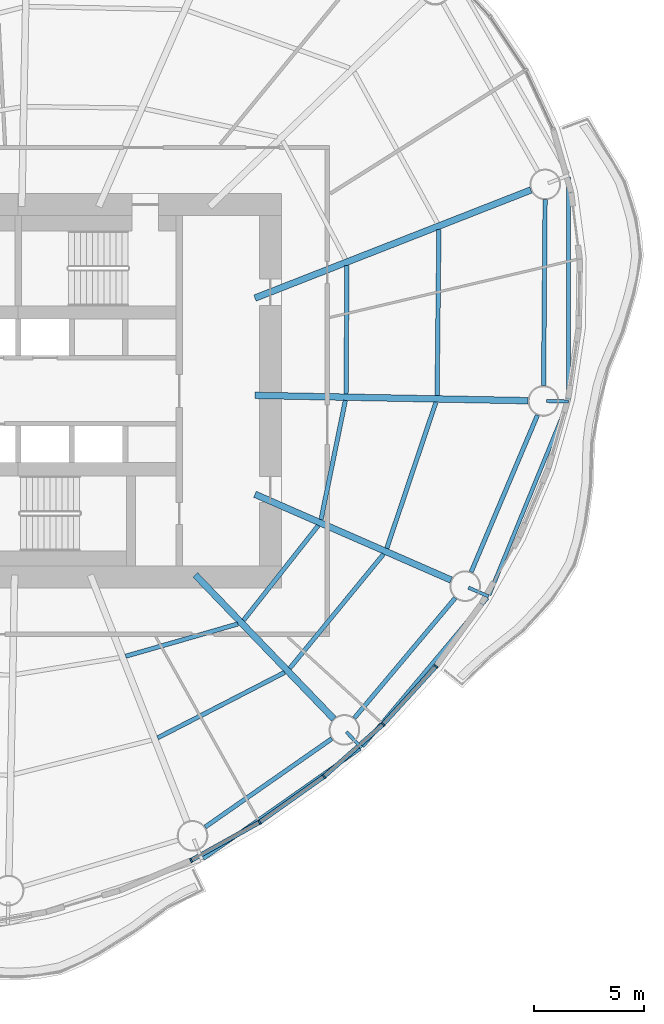
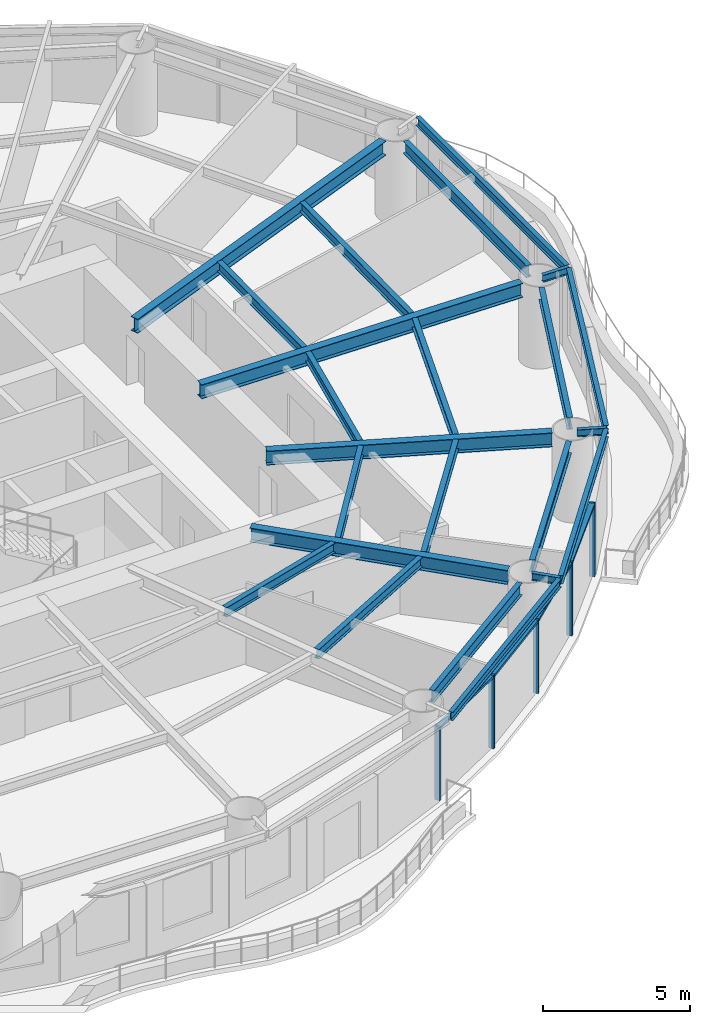
# One storey, part 4 of 14: 23 beams, 9 members, 4 elements without a shape of their own.
"""IFC4 building model written with IfcOpenShell, lengths in metres."""

from ifc_helpers import new_model, si_unit, direction, frame, origin, origin_2d, place, context, subcontext, project, spatial, rectangle, i_section, extrude, material, material_profile, profile_set, type_object, element, aggregate, save


model = new_model("IFC4")

# Units and contexts
model_context = context("Model", 3, precision=1e-05, world=origin(), true_north=direction((0.0, 1.0)))
body_context = subcontext(model_context, "Body", "Model", "MODEL_VIEW")
ifc_project = project(units=[si_unit("LENGTHUNIT", "METRE"), si_unit("AREAUNIT", "SQUARE_METRE"), si_unit("VOLUMEUNIT", "CUBIC_METRE"), si_unit("PLANEANGLEUNIT", "RADIAN"), si_unit("MASSUNIT", "GRAM", prefix="KILO")], contexts=[model_context])

# Site, building, storey
site_placement = place(None, origin())
site = spatial("IfcSite", under=ifc_project, at=site_placement, CompositionType="ELEMENT")
building_placement = place(site_placement, origin())
building = spatial("IfcBuilding", under=site, at=building_placement, Name="Vermilion Reach Broadcast Tower", CompositionType="ELEMENT")
storey_placement = place(building_placement, frame((0.0, 0.0, 186.60009765625)))
storey = spatial("IfcBuildingStorey", under=building, at=storey_placement, Name="L45", CompositionType="ELEMENT", Elevation=186.60009765625)

# Beams
ifc_material_1 = material(Name="Steel S355J2", Category="steel")
ifc_material_profile_1 = material_profile(ifc_material_1, i_section(OverallWidth=0.175048828125, OverallDepth=0.35009765625, WebThickness=0.007080078125, FlangeThickness=0.010986328125, at=origin_2d()), Name="S355J2 HN 350x175x7x11")
ifc_profile_set_1 = profile_set([ifc_material_profile_1], Name="Steel S355J2")
beam_type_1 = type_object("IfcBeamType", Name="EB3 HN 350x175x7x11", PredefinedType="BEAM", material=ifc_profile_set_1)
beam_1_placement = place(storey_placement, frame((2.440185546875, -21.342041015625, 3.224853515625), z_axis=(0.818428114989, 0.574608928398, 0.0), x_axis=(-0.574608928398, 0.818428114989, 0.0)))
element("IfcBeam", 1, at=beam_1_placement, inside=storey, type_object=beam_type_1, Name="Edge beam EB3-12", PredefinedType="BEAM", context=body_context, shape_type="SweptSolid", body=[
    extrude(i_section(OverallWidth=0.175048828125, OverallDepth=0.35009765625, WebThickness=0.007080078125, FlangeThickness=0.010986328125, at=origin_2d()), origin(), (0.0, 0.0, 1.0), 8.741455078125),
])
beam_2_placement = place(storey_placement, frame((9.705322265625, -16.217529296875, 3.224853515625), z_axis=(0.643532045496, 0.765419170402, 0.0), x_axis=(-0.765419170402, 0.643532045496, 0.0)))
element("IfcBeam", 2, at=beam_2_placement, inside=storey, type_object=beam_type_1, Name="Edge beam EB3-13", PredefinedType="BEAM", context=body_context, shape_type="SweptSolid", body=[
    extrude(i_section(OverallWidth=0.175048828125, OverallDepth=0.35009765625, WebThickness=0.007080078125, FlangeThickness=0.010986328125, at=origin_2d()), origin(), (0.0, 0.0, 1.0), 8.857177734375),
])
beam_3_placement = place(storey_placement, frame((15.48388671875, -9.308837890625, 3.224853515625), z_axis=(0.379107422962, 0.925352668908, 0.0), x_axis=(-0.925352668908, 0.379107422962, 0.0)))
element("IfcBeam", 3, at=beam_3_placement, inside=storey, type_object=beam_type_1, Name="Edge beam EB3-14", PredefinedType="BEAM", context=body_context, shape_type="SweptSolid", body=[
    extrude(i_section(OverallWidth=0.175048828125, OverallDepth=0.35009765625, WebThickness=0.007080078125, FlangeThickness=0.010986328125, at=origin_2d()), origin(), (0.0, 0.0, 1.0), 9.453857421875),
])
beam_4_placement = place(storey_placement, frame((19.098388671875, -0.411376953125, 3.224853515625), z_axis=(0.000840618398, 0.99999964668, 0.0), x_axis=(-0.99999964668, 0.000840618398, 0.0)))
element("IfcBeam", 4, at=beam_4_placement, inside=storey, type_object=beam_type_1, Name="Edge beam EB3-15", PredefinedType="BEAM", context=body_context, shape_type="SweptSolid", body=[
    extrude(i_section(OverallWidth=0.175048828125, OverallDepth=0.35009765625, WebThickness=0.007080078125, FlangeThickness=0.010986328125, at=origin_2d()), origin(), (0.0, 0.0, 1.0), 10.1650390625),
])
ifc_material_2 = material(Name="Steel S355J2", Category="steel")
ifc_material_profile_2 = material_profile(ifc_material_2, i_section(OverallWidth=0.300048828125, OverallDepth=0.587890625, WebThickness=0.011962890625, FlangeThickness=0.02001953125, at=origin_2d()), Name="S355J2 HM 588x300x12x20")
ifc_profile_set_2 = profile_set([ifc_material_profile_2], Name="Steel S355J2")
beam_type_2 = type_object("IfcBeamType", Name="G3 HM 588x300x12x20", PredefinedType="BEAM", material=ifc_profile_set_2)
beam_5_placement = place(storey_placement, frame((2.08056640625, -8.39990234375, 3.10595703125), z_axis=(0.693288178928, -0.720660461631, 0.0), x_axis=(0.720660461631, 0.693288178928, 0.0)))
element("IfcBeam", 5, at=beam_5_placement, inside=storey, type_object=beam_type_2, Name="Girder G3-13", PredefinedType="BEAM", context=body_context, shape_type="SweptSolid", body=[
    extrude(i_section(OverallWidth=0.300048828125, OverallDepth=0.587890625, WebThickness=0.011962890625, FlangeThickness=0.02001953125, at=origin_2d()), origin(), (0.0, 0.0, 1.0), 9.106689453125),
])
beam_6_placement = place(storey_placement, frame((4.800048828125, -4.720703125, 3.10595703125), z_axis=(0.916291566529, -0.400511878859, 0.0), x_axis=(0.400511878859, 0.916291566529, 0.0)))
element("IfcBeam", 6, at=beam_6_placement, inside=storey, type_object=beam_type_2, Name="Girder G3-14", PredefinedType="BEAM", context=body_context, shape_type="SweptSolid", body=[
    extrude(i_section(OverallWidth=0.300048828125, OverallDepth=0.587890625, WebThickness=0.011962890625, FlangeThickness=0.02001953125, at=origin_2d()), origin(), (0.0, 0.0, 1.0), 9.76416015625),
])
beam_7_placement = place(storey_placement, frame((4.800048828125, -0.209228515625, 3.10595703125), z_axis=(0.999812275453, -0.019375599413, 0.0), x_axis=(0.019375599413, 0.999812275453, 0.0)))
element("IfcBeam", 7, at=beam_7_placement, inside=storey, type_object=beam_type_2, Name="Girder G3-15", PredefinedType="BEAM", context=body_context, shape_type="SweptSolid", body=[
    extrude(i_section(OverallWidth=0.300048828125, OverallDepth=0.587890625, WebThickness=0.011962890625, FlangeThickness=0.02001953125, at=origin_2d()), origin(), (0.0, 0.0, 1.0), 12.4619140625),
])
beam_8_placement = place(storey_placement, frame((4.800048828125, 4.230224609375, 3.10595703125), z_axis=(0.931119103562, 0.364715251918, 0.0), x_axis=(-0.364715251918, 0.931119103562, 0.0)))
element("IfcBeam", 8, at=beam_8_placement, inside=storey, type_object=beam_type_2, Name="Girder G3-16", PredefinedType="BEAM", context=body_context, shape_type="SweptSolid", body=[
    extrude(i_section(OverallWidth=0.300048828125, OverallDepth=0.587890625, WebThickness=0.011962890625, FlangeThickness=0.02001953125, at=origin_2d()), origin(), (0.0, 0.0, 1.0), 13.519775390625),
])
ifc_material_3 = material(Name="Steel S355J2", Category="steel")
ifc_material_profile_3 = material_profile(ifc_material_3, i_section(OverallWidth=0.14990234375, OverallDepth=0.300048828125, WebThickness=0.006591796875, FlangeThickness=0.009033203125, at=origin_2d()), Name="S355J2 HN 300x150x6.5x9")
ifc_profile_set_3 = profile_set([ifc_material_profile_3], Name="Steel S355J2")
beam_type_3 = type_object("IfcBeamType", Name="GS3 HN 300x150x6.5x9", PredefinedType="BEAM", material=ifc_profile_set_3)
for number, where, z_axis, x_axis, name in (
    (9, (8.96337890625, -15.5546875, 3.25), (0.693303837595, -0.720645397388, 0.0), (0.720645397388, 0.693303837595, 0.0), "Cantilever stub GS3-13"),
    (10, (14.539306640625, -8.9775390625, 3.25), (0.916241361485, -0.400626718411, 0.0), (0.400626718411, 0.916241361485, 0.0), "Cantilever stub GS3-14"),
    (11, (18.098388671875, -0.467041015625, 3.25), (0.999813964781, -0.019288230334, 0.0), (0.019288230334, 0.999813964781, 0.0), "Cantilever stub GS3-15"),
):
    element("IfcBeam", number, at=place(storey_placement, frame(where, z_axis=z_axis, x_axis=x_axis)), inside=storey, type_object=beam_type_3, Name=name, PredefinedType="BEAM", context=body_context, shape_type="SweptSolid", body=[
        extrude(i_section(OverallWidth=0.14990234375, OverallDepth=0.300048828125, WebThickness=0.006591796875, FlangeThickness=0.009033203125, at=origin_2d()), origin(), (0.0, 0.0, 1.0), 1.0),
    ])
ifc_material_4 = material(Name="Steel S355J2", Category="steel")
ifc_material_profile_4 = material_profile(ifc_material_4, i_section(OverallWidth=0.199951171875, OverallDepth=0.5, WebThickness=0.010009765625, FlangeThickness=0.01611328125, at=origin_2d()), Name="S355J2 HN 500x200x10x16")
ifc_profile_set_4 = profile_set([ifc_material_profile_4], Name="Steel S355J2")
beam_type_4 = type_object("IfcBeamType", Name="RB3 HN 500x200x10x16", PredefinedType="BEAM", material=ifc_profile_set_4)
beam_9_placement = place(storey_placement, frame((2.525634765625, -19.900146484375, 3.14990234375), z_axis=(0.820111453349, 0.572203813415, 0.0), x_axis=(-0.572203813415, 0.820111453349, 0.0)))
element("IfcBeam", 12, at=beam_9_placement, inside=storey, type_object=beam_type_4, Name="Ring beam RB3-12", PredefinedType="BEAM", context=body_context, shape_type="SweptSolid", body=[
    extrude(i_section(OverallWidth=0.199951171875, OverallDepth=0.5, WebThickness=0.010009765625, FlangeThickness=0.01611328125, at=origin_2d()), origin(), (0.0, 0.0, 1.0), 7.04736328125),
])
beam_10_placement = place(storey_placement, frame((9.32958984375, -14.931396484375, 3.14990234375), z_axis=(0.643350337931, 0.765571905626, 0.0), x_axis=(-0.765571905626, 0.643350337931, 0.0)))
element("IfcBeam", 13, at=beam_10_placement, inside=storey, type_object=beam_type_4, Name="Ring beam RB3-13", PredefinedType="BEAM", context=body_context, shape_type="SweptSolid", body=[
    extrude(i_section(OverallWidth=0.199951171875, OverallDepth=0.5, WebThickness=0.010009765625, FlangeThickness=0.01611328125, at=origin_2d()), origin(), (0.0, 0.0, 1.0), 7.1630859375),
])
beam_11_placement = place(storey_placement, frame((14.660888671875, -8.266845703125, 3.14990234375), z_axis=(0.389368386196, 0.921082113512, 0.0), x_axis=(-0.921082113512, 0.389368386196, 0.0)))
element("IfcBeam", 14, at=beam_11_placement, inside=storey, type_object=beam_type_4, Name="Ring beam RB3-14", PredefinedType="BEAM", context=body_context, shape_type="SweptSolid", body=[
    extrude(i_section(OverallWidth=0.199951171875, OverallDepth=0.5, WebThickness=0.010009765625, FlangeThickness=0.01611328125, at=origin_2d()), origin(), (0.0, 0.0, 1.0), 7.771240234375),
])
beam_12_placement = place(storey_placement, frame((17.965087890625, 0.23583984375, 3.14990234375), z_axis=(0.008204232036, 0.999966344722, 0.0), x_axis=(-0.999966344722, 0.008204232036, 0.0)))
element("IfcBeam", 15, at=beam_12_placement, inside=storey, type_object=beam_type_4, Name="Ring beam RB3-15", PredefinedType="BEAM", context=body_context, shape_type="SweptSolid", body=[
    extrude(i_section(OverallWidth=0.199951171875, OverallDepth=0.5, WebThickness=0.010009765625, FlangeThickness=0.01611328125, at=origin_2d()), origin(), (0.0, 0.0, 1.0), 8.48095703125),
])
ifc_material_5 = material(Name="Steel S355J2", Category="steel")
ifc_material_profile_5 = material_profile(ifc_material_5, i_section(OverallWidth=0.199951171875, OverallDepth=0.39990234375, WebThickness=0.008056640625, FlangeThickness=0.012939453125, at=origin_2d()), Name="S355J2 HN 400x200x8x13")
ifc_profile_set_5 = profile_set([ifc_material_profile_5], Name="Steel S355J2")
beam_type_5 = type_object("IfcBeamType", Name="SB3 HN 400x200x8x13", PredefinedType="BEAM", material=ifc_profile_set_5)
beam_13_placement = place(storey_placement, frame((-1.09619140625, -12.10791015625, 3.199951171875), z_axis=(0.960977199097, 0.276627588674, 0.0), x_axis=(-0.276627588674, 0.960977199097, 0.0)))
element("IfcBeam", 16, at=beam_13_placement, inside=storey, type_object=beam_type_5, Name="Secondary beam SB3-12-1", PredefinedType="BEAM", context=body_context, shape_type="SweptSolid", body=[
    extrude(i_section(OverallWidth=0.199951171875, OverallDepth=0.39990234375, WebThickness=0.008056640625, FlangeThickness=0.012939453125, at=origin_2d()), origin(), (0.0, 0.0, 1.0), 5.326171875),
])
beam_14_placement = place(storey_placement, frame((0.36181640625, -15.830322265625, 3.199951171875), z_axis=(0.888886664493, 0.458127163227, 0.0), x_axis=(-0.458127163227, 0.888886664493, 0.0)))
element("IfcBeam", 17, at=beam_14_placement, inside=storey, type_object=beam_type_5, Name="Secondary beam SB3-12-2", PredefinedType="BEAM", context=body_context, shape_type="SweptSolid", body=[
    extrude(i_section(OverallWidth=0.199951171875, OverallDepth=0.39990234375, WebThickness=0.008056640625, FlangeThickness=0.012939453125, at=origin_2d()), origin(), (0.0, 0.0, 1.0), 6.51220703125),
])
beam_15_placement = place(storey_placement, frame((4.27880859375, -10.46875, 3.199951171875), z_axis=(0.61905880052, 0.785344638677, 0.0), x_axis=(-0.785344638677, 0.61905880052, 0.0)))
element("IfcBeam", 18, at=beam_15_placement, inside=storey, type_object=beam_type_5, Name="Secondary beam SB3-13-1", PredefinedType="BEAM", context=body_context, shape_type="SweptSolid", body=[
    extrude(i_section(OverallWidth=0.199951171875, OverallDepth=0.39990234375, WebThickness=0.008056640625, FlangeThickness=0.012939453125, at=origin_2d()), origin(), (0.0, 0.0, 1.0), 5.50439453125),
])
beam_16_placement = place(storey_placement, frame((6.385498046875, -12.658447265625, 3.199951171875), z_axis=(0.634758726628, 0.772710397865, 0.0), x_axis=(-0.772710397865, 0.634758726628, 0.0)))
element("IfcBeam", 19, at=beam_16_placement, inside=storey, type_object=beam_type_5, Name="Secondary beam SB3-13-2", PredefinedType="BEAM", context=body_context, shape_type="SweptSolid", body=[
    extrude(i_section(OverallWidth=0.199951171875, OverallDepth=0.39990234375, WebThickness=0.008056640625, FlangeThickness=0.012939453125, at=origin_2d()), origin(), (0.0, 0.0, 1.0), 6.74267578125),
])
beam_17_placement = place(storey_placement, frame((7.81298828125, -5.8740234375, 3.199951171875), z_axis=(0.200041931901, 0.979787336865, 0.0), x_axis=(-0.979787336865, 0.200041931901, 0.0)))
element("IfcBeam", 20, at=beam_17_placement, inside=storey, type_object=beam_type_5, Name="Secondary beam SB3-14-1", PredefinedType="BEAM", context=body_context, shape_type="SweptSolid", body=[
    extrude(i_section(OverallWidth=0.199951171875, OverallDepth=0.39990234375, WebThickness=0.008056640625, FlangeThickness=0.012939453125, at=origin_2d()), origin(), (0.0, 0.0, 1.0), 5.546875),
])
beam_18_placement = place(storey_placement, frame((10.8125, -7.18505859375, 3.199951171875), z_axis=(0.319006870314, 0.947752402631, 0.0), x_axis=(-0.947752402631, 0.319006870314, 0.0)))
element("IfcBeam", 21, at=beam_18_placement, inside=storey, type_object=beam_type_5, Name="Secondary beam SB3-14-2", PredefinedType="BEAM", context=body_context, shape_type="SweptSolid", body=[
    extrude(i_section(OverallWidth=0.199951171875, OverallDepth=0.39990234375, WebThickness=0.008056640625, FlangeThickness=0.012939453125, at=origin_2d()), origin(), (0.0, 0.0, 1.0), 7.033203125),
])
beam_19_placement = place(storey_placement, frame((8.954345703125, -0.1396484375, 3.199951171875), z_axis=(0.006966873053, 0.999975731045, 0.0), x_axis=(-0.999975731045, 0.006966873053, 0.0)))
element("IfcBeam", 22, at=beam_19_placement, inside=storey, type_object=beam_type_5, Name="Secondary beam SB3-15-1", PredefinedType="BEAM", context=body_context, shape_type="SweptSolid", body=[
    extrude(i_section(OverallWidth=0.199951171875, OverallDepth=0.39990234375, WebThickness=0.008056640625, FlangeThickness=0.012939453125, at=origin_2d()), origin(), (0.0, 0.0, 1.0), 5.852294921875),
])
beam_20_placement = place(storey_placement, frame((13.10791015625, -0.22021484375, 3.199951171875), z_axis=(0.010923907469, 0.999940332343, 0.0), x_axis=(-0.999940332343, 0.010923907469, 0.0)))
element("IfcBeam", 23, at=beam_20_placement, inside=storey, type_object=beam_type_5, Name="Secondary beam SB3-15-2", PredefinedType="BEAM", context=body_context, shape_type="SweptSolid", body=[
    extrude(i_section(OverallWidth=0.199951171875, OverallDepth=0.39990234375, WebThickness=0.008056640625, FlangeThickness=0.012939453125, at=origin_2d()), origin(), (0.0, 0.0, 1.0), 7.576416015625),
])

# Curtain wall, member
ifc_material_6 = material(Name="Low-e laminated clear glass in aluminium frame", Category="aluminium")
curtain_wall_type = type_object("IfcCurtainWallType", Name="Slot curtain wall", PredefinedType="NOTDEFINED", material=ifc_material_6)
placement = place(storey_placement, origin())
curtain_wall_1 = element("IfcCurtainWall", 24, at=placement, inside=storey, type_object=curtain_wall_type, Name="Slot curtain wall L45 34", PredefinedType="NOTDEFINED")
ifc_material_7 = material(Name="Anodised aluminium", Category="aluminium")
ifc_material_profile_6 = material_profile(ifc_material_7, rectangle(XDim=0.199951171875, YDim=0.080078125, at=origin_2d()), Name="Slot mullion 80 x 200")
ifc_profile_set_6 = profile_set([ifc_material_profile_6], Name="Anodised aluminium")
member_type_1 = type_object("IfcMemberType", Name="Slot mullion 80 x 200", PredefinedType="MULLION", material=ifc_profile_set_6)
member_1_placement = place(storey_placement, frame((1.88818359375, -21.418701171875, 0.0), z_axis=(0.0, 0.0, 1.0), x_axis=(-0.438355522806, 0.898801666457, 0.0)))
member_1 = element("IfcMember", 25, at=member_1_placement, type_object=member_type_1, Name="Slot mullion L45 34", PredefinedType="MULLION", context=body_context, shape_type="SweptSolid", body=[
    extrude(rectangle(XDim=0.199951171875, YDim=0.080078125, at=origin_2d()), origin(), (0.0, 0.0, 1.0), 3.0498046875),
])

curtain_wall_2 = element("IfcCurtainWall", 26, at=placement, inside=storey, type_object=curtain_wall_type, Name="Slot curtain wall L45 35", PredefinedType="NOTDEFINED")
member_2_placement = place(storey_placement, frame((5.011962890625, -19.6767578125, 0.0), z_axis=(0.0, 0.0, 1.0), x_axis=(-0.533379319448, 0.845876173908, 0.0)))
member_2 = element("IfcMember", 27, at=member_2_placement, type_object=member_type_1, Name="Slot mullion L45 35", PredefinedType="MULLION", context=body_context, shape_type="SweptSolid", body=[
    extrude(rectangle(XDim=0.199951171875, YDim=0.080078125, at=origin_2d()), origin(), (0.0, 0.0, 1.0), 3.0498046875),
])

curtain_wall_3 = element("IfcCurtainWall", 28, at=placement, inside=storey, type_object=curtain_wall_type, Name="Slot curtain wall L45 36", PredefinedType="NOTDEFINED")
member_3_placement = place(storey_placement, frame((7.947021484375, -17.5966796875, 0.0), z_axis=(0.0, 0.0, 1.0), x_axis=(-0.621147789333, 0.783693450149, 0.0)))
member_3 = element("IfcMember", 29, at=member_3_placement, type_object=member_type_1, Name="Slot mullion L45 36", PredefinedType="MULLION", context=body_context, shape_type="SweptSolid", body=[
    extrude(rectangle(XDim=0.199951171875, YDim=0.080078125, at=origin_2d()), origin(), (0.0, 0.0, 1.0), 3.0498046875),
])

# Curtain wall, members
curtain_wall_4 = element("IfcCurtainWall", 30, at=placement, inside=storey, type_object=curtain_wall_type, Name="Slot curtain wall L45 37", PredefinedType="NOTDEFINED")
member_4_placement = place(storey_placement, frame((10.642333984375, -15.21435546875, 0.0), z_axis=(0.0, 0.0, 1.0), x_axis=(-0.701729602396, 0.712443376782, 0.0)))
member_4 = element("IfcMember", 31, at=member_4_placement, type_object=member_type_1, Name="Slot mullion L45 37", PredefinedType="MULLION", context=body_context, shape_type="SweptSolid", body=[
    extrude(rectangle(XDim=0.199951171875, YDim=0.080078125, at=origin_2d()), origin(), (0.0, 0.0, 1.0), 3.0498046875),
])
member_5_placement = place(storey_placement, frame((13.051513671875, -12.570556640625, 0.0), z_axis=(0.0, 0.0, 1.0), x_axis=(-0.774955482217, 0.632015823047, 0.0)))
member_5 = element("IfcMember", 32, at=member_5_placement, type_object=member_type_1, Name="Slot mullion L45 38", PredefinedType="MULLION", context=body_context, shape_type="SweptSolid", body=[
    extrude(rectangle(XDim=0.199951171875, YDim=0.080078125, at=origin_2d()), origin(), (0.0, 0.0, 1.0), 3.0498046875),
])

# Member
ifc_material_8 = material(Name="Anodised aluminium", Category="aluminium")
ifc_material_profile_7 = material_profile(ifc_material_8, rectangle(XDim=0.199951171875, YDim=0.10009765625, at=origin_2d()), Name="Slot transom 200 x 100")
ifc_profile_set_7 = profile_set([ifc_material_profile_7], Name="Anodised aluminium")
member_type_2 = type_object("IfcMemberType", Name="Slot transom 200 x 100", PredefinedType="USERDEFINED", material=ifc_profile_set_7)
member_6_placement = place(storey_placement, frame((1.923095703125, -21.399169921875, 3.0), z_axis=(0.873398713971, 0.487005838192, 0.0), x_axis=(-0.487005838192, 0.873398713971, 0.0)))
member_6 = element("IfcMember", 33, at=member_6_placement, type_object=member_type_2, Name="Slot transom L45 34.1", ObjectType="TRANSOM", PredefinedType="USERDEFINED", context=body_context, shape_type="SweptSolid", body=[
    extrude(rectangle(XDim=0.199951171875, YDim=0.10009765625, at=origin_2d()), origin(), (0.0, 0.0, 1.0), 3.49658203125),
])

aggregate(curtain_wall_1, [member_1, member_6])

member_7_placement = place(storey_placement, frame((5.044677734375, -19.65380859375, 3.0), z_axis=(0.815852563436, 0.578259971583, 0.0), x_axis=(-0.578259971583, 0.815852563436, 0.0)))
member_7 = element("IfcMember", 34, at=member_7_placement, type_object=member_type_2, Name="Slot transom L45 35.1", ObjectType="TRANSOM", PredefinedType="USERDEFINED", context=body_context, shape_type="SweptSolid", body=[
    extrude(rectangle(XDim=0.199951171875, YDim=0.10009765625, at=origin_2d()), origin(), (0.0, 0.0, 1.0), 3.517333984375),
])

aggregate(curtain_wall_2, [member_2, member_7])

member_8_placement = place(storey_placement, frame((7.97705078125, -17.5703125, 3.0), z_axis=(0.749221744775, 0.662319241119, 0.0), x_axis=(-0.662319241119, 0.749221744775, 0.0)))
member_8 = element("IfcMember", 35, at=member_8_placement, type_object=member_type_2, Name="Slot transom L45 36.1", ObjectType="TRANSOM", PredefinedType="USERDEFINED", context=body_context, shape_type="SweptSolid", body=[
    extrude(rectangle(XDim=0.199951171875, YDim=0.10009765625, at=origin_2d()), origin(), (0.0, 0.0, 1.0), 3.517333984375),
])

aggregate(curtain_wall_3, [member_3, member_8])

member_9_placement = place(storey_placement, frame((10.669189453125, -15.184814453125, 3.0), z_axis=(0.673568830196, 0.739124503036, 0.0), x_axis=(-0.739124503036, 0.673568830196, 0.0)))
member_9 = element("IfcMember", 36, at=member_9_placement, type_object=member_type_2, Name="Slot transom L45 37.1", ObjectType="TRANSOM", PredefinedType="USERDEFINED", context=body_context, shape_type="SweptSolid", body=[
    extrude(rectangle(XDim=0.199951171875, YDim=0.10009765625, at=origin_2d()), origin(), (0.0, 0.0, 1.0), 3.4970703125),
])

aggregate(curtain_wall_4, [member_4, member_5, member_9])

save(model, "model.ifc")
